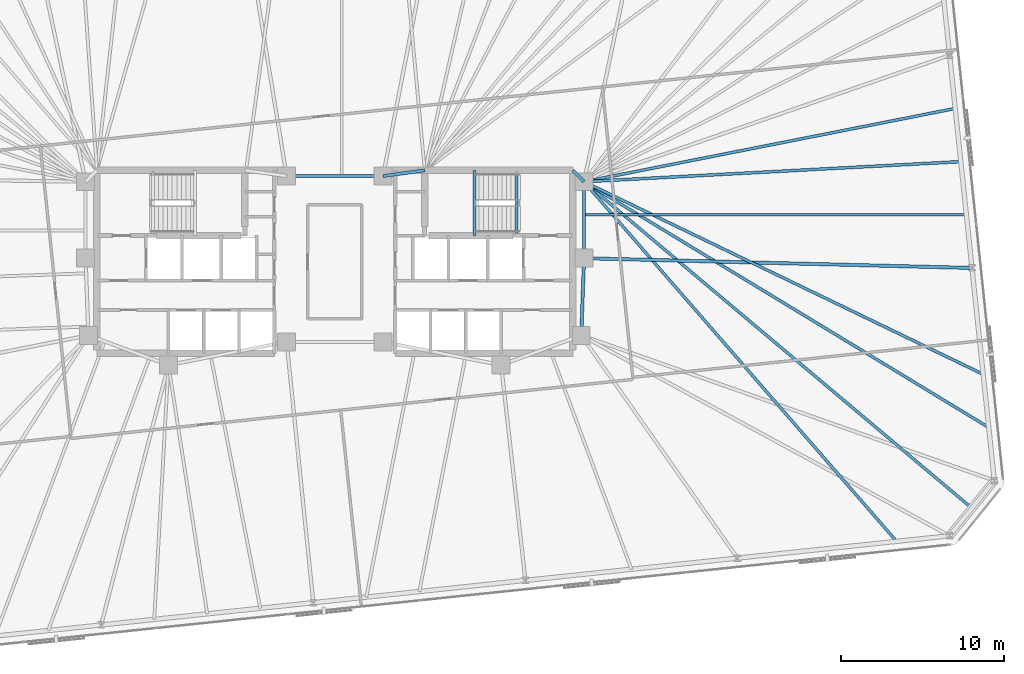
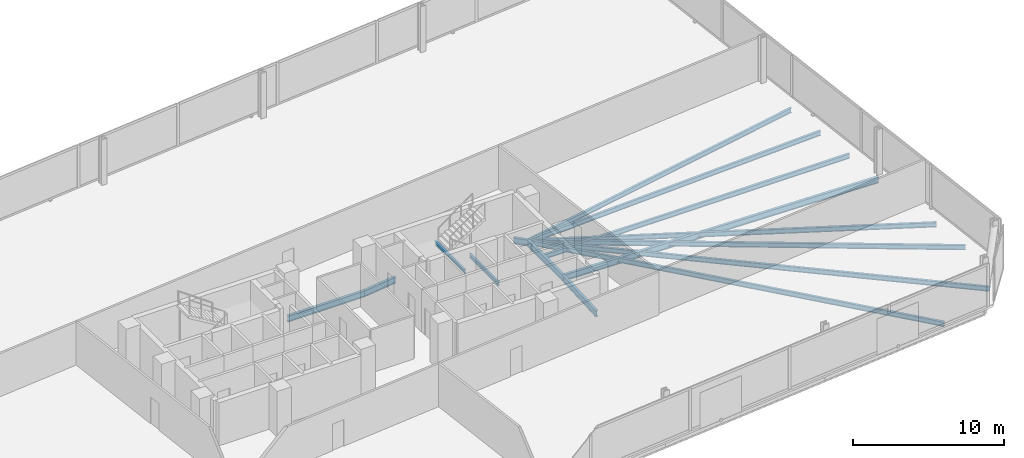
# One storey, part 8 of 17: 15 beams.
"""IFC4 building model written with IfcOpenShell, lengths in metres."""

import ifcopenshell
import ifcopenshell.guid

model = None  # the IFC model being written
_history = None  # IfcOwnerHistory: only IFC2X3 demands one
_inside = {}  # id of a spatial element -> (the spatial element, [elements in it])
_under = {}  # id of a project, library or spatial element -> (it, [spatial elements below it])
_declared = {}  # id of a project -> (the project, [libraries it declares])
_typed = {}  # id of a type object -> (the type object, [elements of that type])
_made_of = {}  # id of a material, layer set ... -> (it, [elements and type objects made of it])


def new_model(schema):
    """Start an empty IFC model of exactly this schema.

    Asked for "IFC4X3", IfcOpenShell would pick the latest addendum, in which some entities
    have other attributes; the version numbers below select the first issue.
    IFC2X3 requires an IfcOwnerHistory on every rooted entity: one is made here for all.
    """
    global model, _history
    if schema == "IFC4X3":
        model = ifcopenshell.file(schema_version=(4, 3, 0, 0))
    else:
        model = ifcopenshell.file(schema=schema)
    _inside.clear()
    _under.clear()
    _declared.clear()
    _typed.clear()
    _made_of.clear()
    _history = None
    if model.schema == "IFC2X3":
        org = make("IfcOrganization", Name="unknown")
        user = make(
            "IfcPersonAndOrganization",
            ThePerson=make("IfcPerson", FamilyName="unknown"),
            TheOrganization=org,
        )
        app = make(
            "IfcApplication",
            ApplicationDeveloper=org,
            Version="unknown",
            ApplicationFullName="unknown",
            ApplicationIdentifier="unknown",
        )
        _history = make(
            "IfcOwnerHistory",
            OwningUser=user,
            OwningApplication=app,
            ChangeAction="ADDED",
            CreationDate=0,
        )
    return model


def make(cls, **values):
    """One entity of the class cls with the attributes given. An attribute that is None is left unset."""
    return model.create_entity(
        cls, **{name: value for name, value in values.items() if value is not None}
    )


def rooted(cls, **values):
    """An entity with a GlobalId (a new one), such as an element, a storey or a relation."""
    return make(cls, GlobalId=ifcopenshell.guid.new(), OwnerHistory=_history, **values)


def si_unit(unit_type, name, prefix=None):
    """IfcSIUnit, for example si_unit("LENGTHUNIT", "METRE", prefix="MILLI")."""
    return make("IfcSIUnit", UnitType=unit_type, Prefix=prefix, Name=name)


def assignment(units):
    """IfcUnitAssignment: the units of a project."""
    return None if units is None else make("IfcUnitAssignment", Units=units)


def point(xyz):
    """IfcCartesianPoint."""
    return None if xyz is None else make("IfcCartesianPoint", Coordinates=xyz)


def direction(xyz):
    """IfcDirection."""
    return None if xyz is None else make("IfcDirection", DirectionRatios=xyz)


def frame(location, z_axis=None, x_axis=None):
    """IfcAxis2Placement3D, a coordinate frame: its origin and axes. An axis left out is left unset."""
    return make(
        "IfcAxis2Placement3D",
        Location=point(location),
        Axis=direction(z_axis),
        RefDirection=direction(x_axis),
    )


def frame_2d(location, x_axis=None):
    """IfcAxis2Placement2D, a coordinate frame in the plane: its origin and x axis."""
    return make(
        "IfcAxis2Placement2D", Location=point(location), RefDirection=direction(x_axis)
    )


def origin():
    """The frame at (0, 0, 0) with its axes left unset."""
    return frame((0.0, 0.0, 0.0))


def origin_2d():
    """The frame at (0, 0) in the plane with its x axis left unset."""
    return frame_2d((0.0, 0.0))


def place(relative_to, where):
    """IfcLocalPlacement: puts the frame where relative to a parent placement (None: the world)."""
    return make(
        "IfcLocalPlacement", PlacementRelTo=relative_to, RelativePlacement=where
    )


def context(
    kind, dimensions, precision=None, world=None, true_north=None, identifier=None
):
    """IfcGeometricRepresentationContext, for example the 3D "Model" context."""
    return make(
        "IfcGeometricRepresentationContext",
        ContextIdentifier=identifier,
        ContextType=kind,
        CoordinateSpaceDimension=dimensions,
        Precision=precision,
        WorldCoordinateSystem=world,
        TrueNorth=true_north,
    )


def subcontext(parent, identifier, kind, view, scale=None):
    """IfcGeometricRepresentationSubContext, for example "Body" below "Model"."""
    return make(
        "IfcGeometricRepresentationSubContext",
        ContextIdentifier=identifier,
        ContextType=kind,
        ParentContext=parent,
        TargetScale=scale,
        TargetView=view,
    )


def project(units=None, contexts=None):
    """IfcProject with its units and contexts."""
    return rooted(
        "IfcProject",
        Name="project",
        RepresentationContexts=contexts,
        UnitsInContext=assignment(units),
    )


def spatial(cls, under=None, at=None, **own):
    """A site, building, storey or space (cls), placed at a placement, below another one or the project."""
    s = rooted(cls, ObjectPlacement=at, **own)
    if under is not None:
        _under.setdefault(under.id(), (under, []))[1].append(s)
    return s


def profile(cls, at=None, kind="AREA", **sizes):
    """A parametric profile (cls). Its sizes go by their IFC names, for example OverallWidth=200.0."""
    return make(cls, ProfileType=kind, Position=at, **sizes)


def i_section(**sizes):
    """IfcIShapeProfileDef."""
    return profile("IfcIShapeProfileDef", **sizes)


def extrude(swept, where, along, depth):
    """IfcExtrudedAreaSolid: the profile swept, set in the frame where, extruded along a direction by depth."""
    return make(
        "IfcExtrudedAreaSolid",
        SweptArea=swept,
        Position=where,
        ExtrudedDirection=direction(along),
        Depth=depth,
    )


def shape(context_of_items, identifier, shape_type, items):
    """IfcShapeRepresentation: the items that make up one representation, for example the "Body"."""
    return make(
        "IfcShapeRepresentation",
        ContextOfItems=context_of_items,
        RepresentationIdentifier=identifier,
        RepresentationType=shape_type,
        Items=items,
    )


def material(Name=None, Category=None):
    """IfcMaterial."""
    return make("IfcMaterial", Name=Name, Category=Category)


def material_profile(
    of_material, cross_section, Name=None, Category=None, Priority=None
):
    """IfcMaterialProfile: a cross section and its material."""
    return make(
        "IfcMaterialProfile",
        Name=Name,
        Material=of_material,
        Profile=cross_section,
        Priority=Priority,
        Category=Category,
    )


def profile_set(profiles, Name=None, composite=None):
    """IfcMaterialProfileSet."""
    return make(
        "IfcMaterialProfileSet",
        Name=Name,
        MaterialProfiles=profiles,
        CompositeProfile=composite,
    )


def made_of(thing, what):
    """Note that an element or type object is made of a material, layer set ...; save() writes the relation."""
    if what is not None:
        _made_of.setdefault(what.id(), (what, []))[1].append(thing)
    return thing


def type_object(cls, material=None, **own):
    """A type object (cls), such as IfcWallType, which elements share."""
    return made_of(rooted(cls, **own), material)


def element(
    cls,
    number,
    at=None,
    inside=None,
    cuts=None,
    type_object=None,
    material=None,
    context=None,
    identifier="Body",
    shape_type=None,
    held_by="IfcProductDefinitionShape",
    body=None,
    shapes=None,
    **own,
):
    """One element of the class cls, such as IfcWall. Its Tag is "e" and its number.

    at: its placement. inside: the storey or other place that contains it. cuts: it is an
    opening in that element (IfcRelVoidsElement). A single representation is given by context,
    identifier, shape_type and body (its items); several are given by shapes. held_by: the class
    of the entity that holds the representations. save() writes the other relations.
    """
    e = rooted(cls, Tag="e%d" % number, ObjectPlacement=at, **own)
    if body is not None:
        shapes = [shape(context, identifier, shape_type, body)]
    if shapes is not None:
        e.Representation = make(held_by, Representations=shapes)
    if inside is not None:
        _inside.setdefault(inside.id(), (inside, []))[1].append(e)
    if cuts is not None:
        rooted(
            "IfcRelVoidsElement", RelatingBuildingElement=cuts, RelatedOpeningElement=e
        )
    if type_object is not None:
        _typed.setdefault(type_object.id(), (type_object, []))[1].append(e)
    return made_of(e, material)


def aggregate(whole, parts):
    """IfcRelAggregates: a whole, such as a stair, and the parts it consists of."""
    return rooted("IfcRelAggregates", RelatingObject=whole, RelatedObjects=parts)


def save(model, path):
    """Write the relations noted so far, then the file.

    IfcRelAggregates (storeys below a building ...), IfcRelContainedInSpatialStructure (elements
    in a storey), IfcRelDefinesByType, IfcRelAssociatesMaterial and IfcRelDeclares: one each for
    every whole, place, type object, material and project.
    """
    for whole, parts in _under.values():
        aggregate(whole, parts)
    for where, things in _inside.values():
        rooted(
            "IfcRelContainedInSpatialStructure",
            RelatedElements=things,
            RelatingStructure=where,
        )
    for kind, things in _typed.values():
        rooted("IfcRelDefinesByType", RelatedObjects=things, RelatingType=kind)
    for what, things in _made_of.values():
        rooted("IfcRelAssociatesMaterial", RelatedObjects=things, RelatingMaterial=what)
    for by, libraries in _declared.values():
        rooted("IfcRelDeclares", RelatingContext=by, RelatedDefinitions=libraries)
    model.write(path)


model = new_model("IFC4")

# Units and contexts
model_context = context("Model", 3, precision=1e-05, world=origin(), true_north=direction((0.0, 1.0)))
body_context = subcontext(model_context, "Body", "Model", "MODEL_VIEW")
ifc_project = project(units=[si_unit("LENGTHUNIT", "METRE"), si_unit("AREAUNIT", "SQUARE_METRE"), si_unit("VOLUMEUNIT", "CUBIC_METRE"), si_unit("PLANEANGLEUNIT", "RADIAN"), si_unit("MASSUNIT", "GRAM", prefix="KILO")], contexts=[model_context])

# Site, building, storey
site_placement = place(None, origin())
site = spatial("IfcSite", under=ifc_project, at=site_placement, CompositionType="ELEMENT")
building_placement = place(site_placement, origin())
building = spatial("IfcBuilding", under=site, at=building_placement, Name="Menara Jurai Vektor", CompositionType="ELEMENT")
storey_placement = place(building_placement, frame((0.0, 0.0, 131.800048828125)))
storey = spatial("IfcBuildingStorey", under=building, at=storey_placement, Name="L33", CompositionType="ELEMENT", Elevation=131.800048828125)

# Beams
ifc_material = material(Name="Steel S355", Category="steel")
ifc_material_profile_1 = material_profile(ifc_material, i_section(OverallWidth=0.199951171875, OverallDepth=0.5, WebThickness=0.011962890625, FlangeThickness=0.02001953125, at=origin_2d()), Name="PG 500x200x96")
ifc_profile_set_1 = profile_set([ifc_material_profile_1], Name="Steel S355")
beam_type_1 = type_object("IfcBeamType", Name="STR-BM-500", PredefinedType="BEAM", material=ifc_profile_set_1)
beam_1_placement = place(storey_placement, frame((2.949951171875, 5.25, -0.47509765625), z_axis=(0.990706818608, 0.136014703483, 0.0), x_axis=(-0.136014703483, 0.990706818608, 0.0)))
element("IfcBeam", 1, at=beam_1_placement, inside=storey, type_object=beam_type_1, Name="Core Ring Header Girder L33-CHE-N1", PredefinedType="BEAM", context=body_context, shape_type="SweptSolid", body=[
    extrude(i_section(OverallWidth=0.199951171875, OverallDepth=0.5, WebThickness=0.011962890625, FlangeThickness=0.02001953125, at=origin_2d()), origin(), (0.0, 0.0, 1.0), 2.573974609375),
])
beam_2_placement = place(storey_placement, frame((14.56005859375, 5.60009765625, -0.47509765625), z_axis=(0.701871936926, -0.712303154672, 0.0), x_axis=(0.712303154672, 0.701871936926, 0.0)))
element("IfcBeam", 2, at=beam_2_placement, inside=storey, type_object=beam_type_1, Name="Core Ring Header Girder L33-CHE-N2", PredefinedType="BEAM", context=body_context, shape_type="SweptSolid", body=[
    extrude(i_section(OverallWidth=0.199951171875, OverallDepth=0.5, WebThickness=0.011962890625, FlangeThickness=0.02001953125, at=origin_2d()), origin(), (0.0, 0.0, 1.0), 0.98291015625),
])
beam_3_placement = place(storey_placement, frame((15.25, 0.219970703125, -0.47509765625), z_axis=(0.0, 1.0, 0.0), x_axis=(-1.0, 0.0, 0.0)))
element("IfcBeam", 3, at=beam_3_placement, inside=storey, type_object=beam_type_1, Name="Core Ring Header Girder L33-CHE-E1", PredefinedType="BEAM", context=body_context, shape_type="SweptSolid", body=[
    extrude(i_section(OverallWidth=0.199951171875, OverallDepth=0.5, WebThickness=0.011962890625, FlangeThickness=0.02001953125, at=origin_2d()), origin(), (0.0, 0.0, 1.0), 4.679931640625),
])
beam_4_placement = place(storey_placement, frame((15.080078125, -4.5, -0.47509765625), z_axis=(0.035977314146, 0.999352606874, 0.0), x_axis=(-0.999352606874, 0.035977314146, 0.0)))
element("IfcBeam", 4, at=beam_4_placement, inside=storey, type_object=beam_type_1, Name="Core Ring Header Girder L33-CHE-E2", PredefinedType="BEAM", context=body_context, shape_type="SweptSolid", body=[
    extrude(i_section(OverallWidth=0.199951171875, OverallDepth=0.5, WebThickness=0.011962890625, FlangeThickness=0.02001953125, at=origin_2d()), origin(), (0.0, 0.0, 1.0), 4.72314453125),
])
beam_5_placement = place(storey_placement, frame((-2.949951171875, 5.25, -0.47509765625), z_axis=(1.0, 0.0, 0.0), x_axis=(0.0, 1.0, 0.0)))
element("IfcBeam", 5, at=beam_5_placement, inside=storey, type_object=beam_type_1, Name="Core Ring Header Girder L33-CC-2", PredefinedType="BEAM", context=body_context, shape_type="SweptSolid", body=[
    extrude(i_section(OverallWidth=0.199951171875, OverallDepth=0.5, WebThickness=0.011962890625, FlangeThickness=0.02001953125, at=origin_2d()), origin(), (0.0, 0.0, 1.0), 5.89990234375),
])
beam_6_placement = place(storey_placement, frame((38.98828125, -0.375, -0.47509765625), z_axis=(-0.999686051749, 0.02505589629, 0.0), x_axis=(-0.02505589629, -0.999686051749, 0.0)))
element("IfcBeam", 6, at=beam_6_placement, inside=storey, type_object=beam_type_1, Name="Radial Floor Girder L33-E2", PredefinedType="BEAM", context=body_context, shape_type="SweptSolid", body=[
    extrude(i_section(OverallWidth=0.199951171875, OverallDepth=0.5, WebThickness=0.011962890625, FlangeThickness=0.02001953125, at=origin_2d()), origin(), (0.0, 0.0, 1.0), 23.745849609375),
])
ifc_material_profile_2 = material_profile(ifc_material, i_section(OverallWidth=0.175048828125, OverallDepth=0.3798828125, WebThickness=0.010009765625, FlangeThickness=0.014892578125, at=origin_2d()), Name="PG 380x175x58")
ifc_profile_set_2 = profile_set([ifc_material_profile_2], Name="Steel S355")
beam_type_2 = type_object("IfcBeamType", Name="STR-JS-380", PredefinedType="JOIST", material=ifc_profile_set_2)
beam_7_placement = place(storey_placement, frame((34.376953125, -17.106201171875, -0.4150390625), z_axis=(-0.656007047389, 0.754754763996, 0.0), x_axis=(-0.754754763996, -0.656007047389, 0.0)))
element("IfcBeam", 7, at=beam_7_placement, inside=storey, type_object=beam_type_2, Name="Radial Secondary Floor Joist L33-JS09", PredefinedType="JOIST", context=body_context, shape_type="SweptSolid", body=[
    extrude(i_section(OverallWidth=0.175048828125, OverallDepth=0.3798828125, WebThickness=0.010009765625, FlangeThickness=0.014892578125, at=origin_2d()), origin(), (0.0, 0.0, 1.0), 29.15673828125),
])
beam_8_placement = place(storey_placement, frame((38.989013671875, -15.076904296875, -0.4150390625), z_axis=(-0.765132553444, 0.643872794627, 0.0), x_axis=(-0.643872794627, -0.765132553444, 0.0)))
element("IfcBeam", 8, at=beam_8_placement, inside=storey, type_object=beam_type_2, Name="Radial Secondary Floor Joist L33-JS10", PredefinedType="JOIST", context=body_context, shape_type="SweptSolid", body=[
    extrude(i_section(OverallWidth=0.175048828125, OverallDepth=0.3798828125, WebThickness=0.010009765625, FlangeThickness=0.014892578125, at=origin_2d()), origin(), (0.0, 0.0, 1.0), 31.026123046875),
])
beam_9_placement = place(storey_placement, frame((40.01416015625, -10.13525390625, -0.4150390625), z_axis=(-0.854790986557, 0.518972416706, 0.0), x_axis=(-0.518972416706, -0.854790986557, 0.0)))
element("IfcBeam", 9, at=beam_9_placement, inside=storey, type_object=beam_type_2, Name="Radial Secondary Floor Joist L33-JS11", PredefinedType="JOIST", context=body_context, shape_type="SweptSolid", body=[
    extrude(i_section(OverallWidth=0.175048828125, OverallDepth=0.3798828125, WebThickness=0.010009765625, FlangeThickness=0.014892578125, at=origin_2d()), origin(), (0.0, 0.0, 1.0), 28.970947265625),
])
beam_10_placement = place(storey_placement, frame((39.672119140625, -6.8818359375, -0.4150390625), z_axis=(-0.90067072624, 0.434502293312, 0.0), x_axis=(-0.434502293312, -0.90067072624, 0.0)))
element("IfcBeam", 10, at=beam_10_placement, inside=storey, type_object=beam_type_2, Name="Radial Secondary Floor Joist L33-JS12", PredefinedType="JOIST", context=body_context, shape_type="SweptSolid", body=[
    extrude(i_section(OverallWidth=0.175048828125, OverallDepth=0.3798828125, WebThickness=0.010009765625, FlangeThickness=0.014892578125, at=origin_2d()), origin(), (0.0, 0.0, 1.0), 27.115478515625),
])
beam_11_placement = place(storey_placement, frame((38.646484375, 2.87841796875, -0.4150390625), z_axis=(-1.0, 0.0, 0.0), x_axis=(0.0, -1.0, 0.0)))
element("IfcBeam", 11, at=beam_11_placement, inside=storey, type_object=beam_type_2, Name="Radial Secondary Floor Joist L33-JS13", PredefinedType="JOIST", context=body_context, shape_type="SweptSolid", body=[
    extrude(i_section(OverallWidth=0.175048828125, OverallDepth=0.3798828125, WebThickness=0.010009765625, FlangeThickness=0.014892578125, at=origin_2d()), origin(), (0.0, 0.0, 1.0), 23.396484375),
])
beam_12_placement = place(storey_placement, frame((38.304443359375, 6.131591796875, -0.4150390625), z_axis=(-0.998575919005, -0.053349170414, 0.0), x_axis=(0.053349170414, -0.998575919005, 0.0)))
element("IfcBeam", 12, at=beam_12_placement, inside=storey, type_object=beam_type_2, Name="Radial Secondary Floor Joist L33-JS14", PredefinedType="JOIST", context=body_context, shape_type="SweptSolid", body=[
    extrude(i_section(OverallWidth=0.175048828125, OverallDepth=0.3798828125, WebThickness=0.010009765625, FlangeThickness=0.014892578125, at=origin_2d()), origin(), (0.0, 0.0, 1.0), 23.08740234375),
])
beam_13_placement = place(storey_placement, frame((37.96240234375, 9.385009765625, -0.4150390625), z_axis=(-0.981054359007, -0.193732662897, 0.0), x_axis=(0.193732662897, -0.981054359007, 0.0)))
element("IfcBeam", 13, at=beam_13_placement, inside=storey, type_object=beam_type_2, Name="Radial Secondary Floor Joist L33-JS15", PredefinedType="JOIST", context=body_context, shape_type="SweptSolid", body=[
    extrude(i_section(OverallWidth=0.175048828125, OverallDepth=0.3798828125, WebThickness=0.010009765625, FlangeThickness=0.014892578125, at=origin_2d()), origin(), (0.0, 0.0, 1.0), 23.151123046875),
])
ifc_material_profile_3 = material_profile(ifc_material, i_section(OverallWidth=0.1650390625, OverallDepth=0.302978515625, WebThickness=0.006103515625, FlangeThickness=0.010009765625, FilletRadius=0.009033203125, at=origin_2d()), Name="UKB 305x165x40")
ifc_profile_set_3 = profile_set([ifc_material_profile_3], Name="Steel S355")
beam_type_3 = type_object("IfcBeamType", Name="STR-LN-305", PredefinedType="LINTEL", material=ifc_profile_set_3)
beam_14_placement = place(storey_placement, frame((11.1201171875, 1.60009765625, -0.37646484375), z_axis=(0.0, 1.0, 0.0), x_axis=(-1.0, 0.0, 0.0)))
element("IfcBeam", 14, at=beam_14_placement, inside=storey, type_object=beam_type_3, Name="Stair Well Floor Trimmer ST2 L33", PredefinedType="LINTEL", context=body_context, shape_type="SweptSolid", body=[
    extrude(i_section(OverallWidth=0.1650390625, OverallDepth=0.302978515625, WebThickness=0.006103515625, FlangeThickness=0.010009765625, FilletRadius=0.009033203125, at=origin_2d()), origin(), (0.0, 0.0, 1.0), 3.81982421875),
])
beam_15_placement = place(storey_placement, frame((8.550048828125, 1.60009765625, 1.49853515625), z_axis=(0.0, 1.0, 0.0), x_axis=(-1.0, 0.0, 0.0)))
element("IfcBeam", 15, at=beam_15_placement, inside=storey, type_object=beam_type_3, Name="Stair Half-Landing Nosing Trimmer ST2-1 L33", PredefinedType="LINTEL", context=body_context, shape_type="SweptSolid", body=[
    extrude(i_section(OverallWidth=0.1650390625, OverallDepth=0.302978515625, WebThickness=0.006103515625, FlangeThickness=0.010009765625, FilletRadius=0.009033203125, at=origin_2d()), origin(), (0.0, 0.0, 1.0), 4.0),
])

save(model, "model.ifc")
